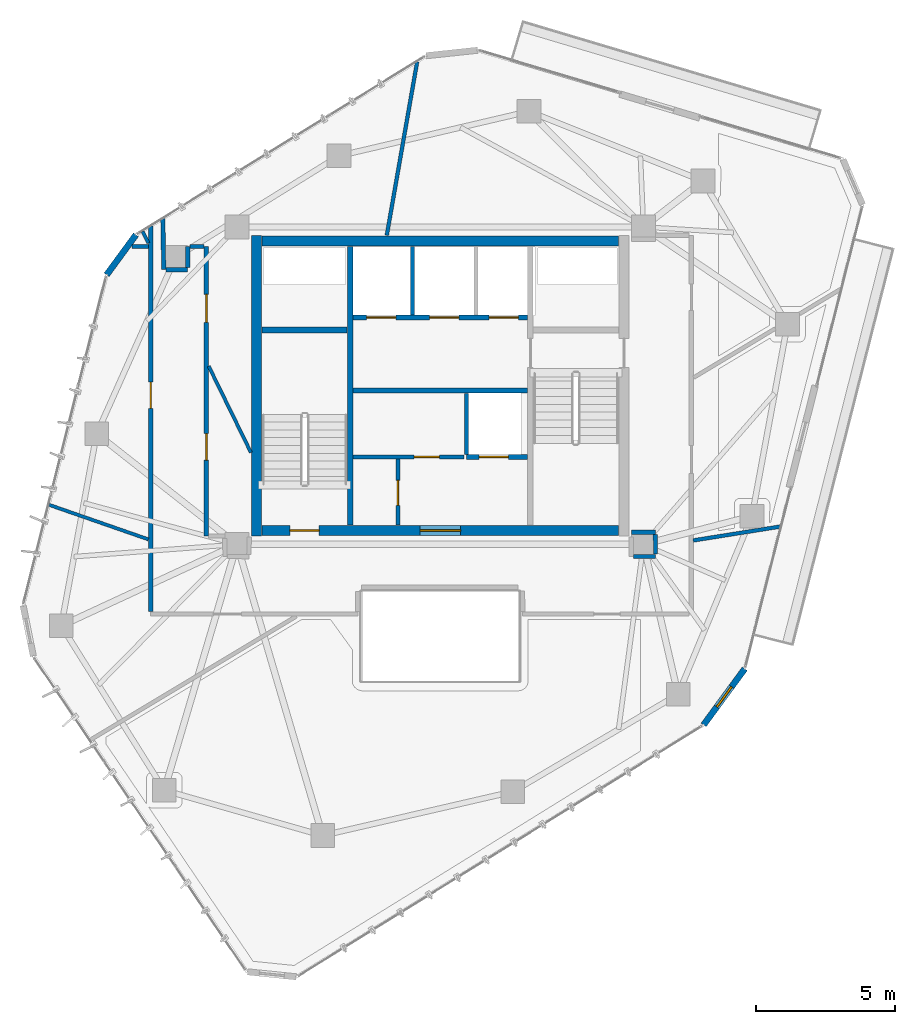
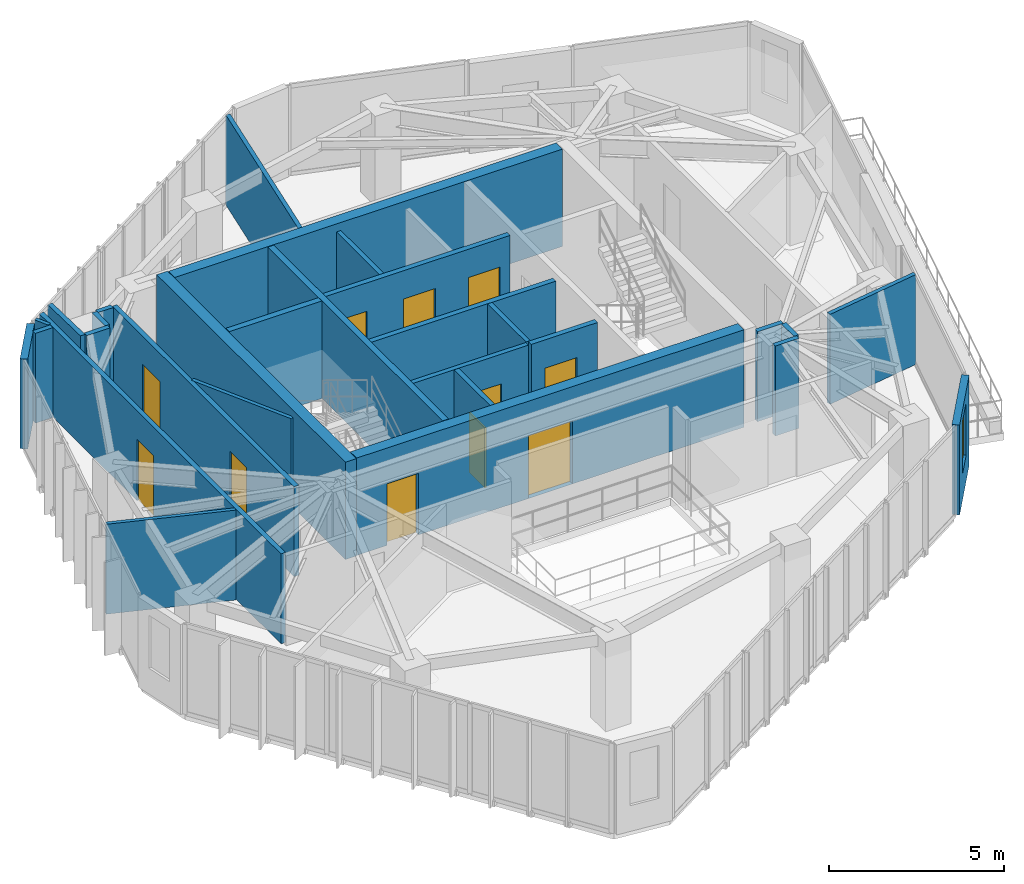
# One storey, part 17 of 20: 29 walls, 11 doors, 1 window, 12 openings.
"""IFC4 building model written with IfcOpenShell, lengths in metres."""

from ifc_helpers import new_model, si_unit, direction, frame, frame_2d, origin, place, context, subcontext, project, spatial, rectangle, extrude, source, transform, mapped, material, layer, layer_set, type_object, type_shapes, element, fill, save


model = new_model("IFC4")

# Units and contexts
model_context = context("Model", 3, precision=1e-05, world=origin(), true_north=direction((0.0, 1.0)))
body_context = subcontext(model_context, "Body", "Model", "MODEL_VIEW")
ifc_project = project(units=[si_unit("LENGTHUNIT", "METRE"), si_unit("AREAUNIT", "SQUARE_METRE"), si_unit("VOLUMEUNIT", "CUBIC_METRE"), si_unit("PLANEANGLEUNIT", "RADIAN"), si_unit("MASSUNIT", "GRAM", prefix="KILO")], contexts=[model_context])

# Site, building, storey
site_placement = place(None, origin())
site = spatial("IfcSite", under=ifc_project, at=site_placement, CompositionType="ELEMENT")
building_placement = place(site_placement, origin())
building = spatial("IfcBuilding", under=site, at=building_placement, Name="Talar Marvaseh", CompositionType="ELEMENT")
storey_placement = place(building_placement, frame((0.0, 0.0, 251.0)))
storey = spatial("IfcBuildingStorey", under=building, at=storey_placement, Name="L66", CompositionType="ELEMENT", Elevation=251.0)

# Wall
ifc_material_1 = material(Name="Precast concrete C45/55", Category="concrete")
ifc_layer_1 = layer(ifc_material_1, 0.22509765625)
ifc_layer_set_1 = layer_set([ifc_layer_1], Name="Precast concrete C45/55")
wall_type_1 = type_object("IfcWallType", Name="Chamfered Hexagonal Corner Pier Wall Z4 225", PredefinedType="SOLIDWALL", material=ifc_layer_set_1)
wall_1_placement = place(storey_placement, frame((14.0166015625, 35.1826171875, 0.0), z_axis=(0.0, 0.0, 1.0), x_axis=(0.591232882977, 0.80650088536, 0.0)))
element("IfcWall", 1, at=wall_1_placement, inside=storey, type_object=wall_type_1, Name="L66 Chamfered Corner Limestone Pier 3", PredefinedType="SOLIDWALL", context=body_context, shape_type="SweptSolid", body=[
    extrude(rectangle(XDim=1.780517578125, YDim=0.22509765625, at=frame_2d((0.89013671875, 0.0))), origin(), (0.0, 0.0, 1.0), 3.139892578125),
])

# Wall, opening, window
wall_2_placement = place(storey_placement, frame((36.93896484375, 21.03076171875, 0.0), z_axis=(0.0, 0.0, 1.0), x_axis=(-0.591317137896, -0.806439112662, 0.0)))
wall_2 = element("IfcWall", 2, at=wall_2_placement, inside=storey, type_object=wall_type_1, Name="L66 Chamfered Corner Limestone Pier 6", PredefinedType="SOLIDWALL", context=body_context, shape_type="SweptSolid", body=[
    extrude(rectangle(XDim=2.50244140625, YDim=0.22509765625, at=frame_2d((1.251220703125, 0.0))), origin(), (0.0, 0.0, 1.0), 3.139892578125),
])
opening_1_placement = place(wall_2_placement, frame((0.801025390625, 0.0, 0.89990234375)))
opening_1 = element("IfcOpeningElement", 3, at=opening_1_placement, cuts=wall_2, Name="Opening WN-CHM09", PredefinedType="OPENING", context=body_context, shape_type="SweptSolid", body=[
    extrude(rectangle(XDim=0.89990234375, YDim=1.85009765625, at=frame_2d((0.449951171875, 0.925048828125))), frame((0.0, 0.12255859375, 0.0), z_axis=(0.0, -1.0, 0.0), x_axis=(1.0, 0.0, 0.0)), (0.0, 0.0, 1.0), 0.2451171875),
])
ifc_material_2 = material(Name="Laminated Low-E Solar Glass", Category="glass")
window_type = type_object("IfcWindowType", Name="Zone 4 Chamfered Corner Slot Window 900x1850", PartitioningType="SINGLE_PANEL", PredefinedType="WINDOW", material=ifc_material_2)
shared_shape_1 = source(origin(), body_context, "Body", "SweptSolid", [
    extrude(rectangle(XDim=0.89990234375, YDim=1.85009765625, at=frame_2d((0.449951171875, 0.925048828125))), frame((0.0, 0.030029296875, 0.0), z_axis=(0.0, -1.0, 0.0), x_axis=(1.0, 0.0, 0.0)), (0.0, 0.0, 1.0), 0.06005859375),
])
type_shapes(window_type, [shared_shape_1])
window_placement = place(opening_1_placement, origin())
window = element("IfcWindow", 4, at=window_placement, inside=storey, type_object=window_type, Name="L66 Chamfered Corner Slot Window", OverallHeight=1.85009765625, OverallWidth=0.89990234375, PartitioningType="SINGLE_PANEL", PredefinedType="WINDOW", context=body_context, shape_type="MappedRepresentation", body=[
    mapped(shared_shape_1, transform((0.0, 0.0, 0.0), x_axis=(1.0, 0.0, 0.0), y_axis=(0.0, 1.0, 0.0), z_axis=(0.0, 0.0, 1.0), scale=1.0)),
])
fill(opening_1, window)

# Wall, opening, door
ifc_material_3 = material(Name="Gypsum Board Partition Assembly")
ifc_layer_2 = layer(ifc_material_3, 0.155029296875)
ifc_layer_set_2 = layer_set([ifc_layer_2], Name="Gypsum Board Partition Assembly")
wall_type_2 = type_object("IfcWallType", Name="Corridor Fire-Rated Acoustic Partition 155", PredefinedType="PARTITIONING", material=ifc_layer_set_2)
wall_3_placement = place(storey_placement, frame((22.865966796875, 28.639892578125, 0.0), z_axis=(0.0, 0.0, 1.0), x_axis=(1.0, 0.0, 0.0)))
wall_3 = element("IfcWall", 5, at=wall_3_placement, inside=storey, type_object=wall_type_2, Name="L66 Core BOH Partition", PredefinedType="PARTITIONING", context=body_context, shape_type="SweptSolid", body=[
    extrude(rectangle(XDim=3.994140625, YDim=0.155029296875, at=frame_2d((1.9970703125, 0.0))), origin(), (0.0, 0.0, 1.0), 3.139892578125),
])
opening_2_placement = place(wall_3_placement, frame((2.199951171875, 0.0, 0.0)))
opening_2 = element("IfcOpeningElement", 6, at=opening_2_placement, cuts=wall_3, Name="Opening DR-BOH090", PredefinedType="OPENING", context=body_context, shape_type="SweptSolid", body=[
    extrude(rectangle(XDim=0.89990234375, YDim=2.10009765625, at=frame_2d((0.449951171875, 1.050048828125))), frame((0.0, 0.08740234375, 0.0), z_axis=(0.0, -1.0, 0.0), x_axis=(1.0, 0.0, 0.0)), (0.0, 0.0, 1.0), 0.175048828125),
])
ifc_material_4 = material(Name="Fire-Rated Steel Door Leaf", Category="steel")
door_type_1 = type_object("IfcDoorType", Name="Core Back-of-House Service Door 900x2100", OperationType="NOTDEFINED", PredefinedType="DOOR", material=ifc_material_4)
shared_shape_2 = source(origin(), body_context, "Body", "SweptSolid", [
    extrude(rectangle(XDim=0.89990234375, YDim=2.10009765625, at=frame_2d((0.449951171875, 1.050048828125))), frame((0.0, 0.02490234375, 0.0), z_axis=(0.0, -1.0, 0.0), x_axis=(1.0, 0.0, 0.0)), (0.0, 0.0, 1.0), 0.050048828125),
])
type_shapes(door_type_1, [shared_shape_2])
door_1_placement = place(opening_2_placement, origin())
door_1 = element("IfcDoor", 7, at=door_1_placement, inside=storey, type_object=door_type_1, Name="L66 Store Sky Core Archive Room Door", OperationType="SINGLE_SWING_LEFT", OverallHeight=2.10009765625, OverallWidth=0.89990234375, PredefinedType="DOOR", context=body_context, shape_type="MappedRepresentation", body=[
    mapped(shared_shape_2, transform((0.0, 0.0, 0.0), x_axis=(1.0, 0.0, 0.0), y_axis=(0.0, 1.0, 0.0), z_axis=(0.0, 0.0, 1.0), scale=1.0)),
])
fill(opening_2, door_1)

wall_4_placement = place(storey_placement, frame((24.47998046875, 26.199951171875, 0.0), z_axis=(0.0, 0.0, 1.0), x_axis=(0.0, 1.0, 0.0)))
wall_4 = element("IfcWall", 8, at=wall_4_placement, inside=storey, type_object=wall_type_2, Name="L66 Core BOH Partition", PredefinedType="PARTITIONING", context=body_context, shape_type="SweptSolid", body=[
    extrude(rectangle(XDim=2.360107421875, YDim=0.155029296875, at=frame_2d((1.18017578125, 0.0))), origin(), (0.0, 0.0, 1.0), 3.139892578125),
])
opening_3_placement = place(wall_4_placement, frame((0.699951171875, 0.0, 0.0)))
opening_3 = element("IfcOpeningElement", 9, at=opening_3_placement, cuts=wall_4, Name="Opening DR-BOH090", PredefinedType="OPENING", context=body_context, shape_type="SweptSolid", body=[
    extrude(rectangle(XDim=0.89990234375, YDim=2.10009765625, at=frame_2d((0.449951171875, 1.050048828125))), frame((0.0, 0.08740234375, 0.0), z_axis=(0.0, -1.0, 0.0), x_axis=(1.0, 0.0, 0.0)), (0.0, 0.0, 1.0), 0.175048828125),
])
door_2_placement = place(opening_3_placement, origin())
door_2 = element("IfcDoor", 10, at=door_2_placement, inside=storey, type_object=door_type_1, Name="L66 Cleaner and Linen Store Door", OperationType="SINGLE_SWING_LEFT", OverallHeight=2.10009765625, OverallWidth=0.89990234375, PredefinedType="DOOR", context=body_context, shape_type="MappedRepresentation", body=[
    mapped(shared_shape_2, transform((0.0, 0.0, 0.0), x_axis=(1.0, 0.0, 0.0), y_axis=(0.0, 1.0, 0.0), z_axis=(0.0, 0.0, 1.0), scale=1.0)),
])
fill(opening_3, door_2)

# Wall, openings, doors
wall_5_placement = place(storey_placement, frame((17.60009765625, 36.199951171875, 0.0), z_axis=(0.0, 0.0, 1.0), x_axis=(0.0, -1.0, 0.0)))
wall_5 = element("IfcWall", 11, at=wall_5_placement, inside=storey, type_object=wall_type_2, Name="L66 Interior Partition Wall", PredefinedType="PARTITIONING", context=body_context, shape_type="SweptSolid", body=[
    extrude(rectangle(XDim=10.39990234375, YDim=0.155029296875, at=frame_2d((5.199951171875, 0.0))), origin(), (0.0, 0.0, 1.0), 3.139892578125),
])
opening_4_placement = place(wall_5_placement, frame((1.72509765625, 0.0, 0.0)))
opening_4 = element("IfcOpeningElement", 12, at=opening_4_placement, cuts=wall_5, Name="Opening DR-RM100", PredefinedType="OPENING", context=body_context, shape_type="SweptSolid", body=[
    extrude(rectangle(XDim=1.0, YDim=2.14990234375, at=frame_2d((0.5, 1.074951171875))), frame((0.0, 0.08740234375, 0.0), z_axis=(0.0, -1.0, 0.0), x_axis=(1.0, 0.0, 0.0)), (0.0, 0.0, 1.0), 0.175048828125),
])
opening_5_placement = place(wall_5_placement, frame((6.720947265625, 0.0, 0.0)))
opening_5 = element("IfcOpeningElement", 13, at=opening_5_placement, cuts=wall_5, Name="Opening DR-WC095", PredefinedType="OPENING", context=body_context, shape_type="SweptSolid", body=[
    extrude(rectangle(XDim=0.949951171875, YDim=2.14990234375, at=frame_2d((0.47509765625, 1.074951171875))), frame((0.0, 0.08740234375, 0.0), z_axis=(0.0, -1.0, 0.0), x_axis=(1.0, 0.0, 0.0)), (0.0, 0.0, 1.0), 0.175048828125),
])
ifc_material_5 = material(Name="Acoustic Engineered Oak Timber", Category="wood")
door_type_2 = type_object("IfcDoorType", Name="Washroom and Service Room Door 950x2150", OperationType="NOTDEFINED", PredefinedType="DOOR", material=ifc_material_5)
shared_shape_3 = source(origin(), body_context, "Body", "SweptSolid", [
    extrude(rectangle(XDim=0.949951171875, YDim=2.14990234375, at=frame_2d((0.47509765625, 1.074951171875))), frame((0.0, 0.02490234375, 0.0), z_axis=(0.0, -1.0, 0.0), x_axis=(1.0, 0.0, 0.0)), (0.0, 0.0, 1.0), 0.050048828125),
])
type_shapes(door_type_2, [shared_shape_3])
door_3_placement = place(opening_5_placement, origin())
door_3 = element("IfcDoor", 14, at=door_3_placement, inside=storey, type_object=door_type_2, Name="L66 WC Public Washrooms Door", OperationType="SINGLE_SWING_LEFT", OverallHeight=2.14990234375, OverallWidth=0.949951171875, PredefinedType="DOOR", context=body_context, shape_type="MappedRepresentation", body=[
    mapped(shared_shape_3, transform((0.0, 0.0, 0.0), x_axis=(1.0, 0.0, 0.0), y_axis=(0.0, 1.0, 0.0), z_axis=(0.0, 0.0, 1.0), scale=1.0)),
])
fill(opening_5, door_3)
door_type_3 = type_object("IfcDoorType", Name="Corridor Fire-Rated Gallery Door 1000x2150", OperationType="NOTDEFINED", PredefinedType="DOOR", material=ifc_material_5)
shared_shape_4 = source(origin(), body_context, "Body", "SweptSolid", [
    extrude(rectangle(XDim=1.0, YDim=2.14990234375, at=frame_2d((0.5, 1.074951171875))), frame((0.0, 0.02490234375, 0.0), z_axis=(0.0, -1.0, 0.0), x_axis=(1.0, 0.0, 0.0)), (0.0, 0.0, 1.0), 0.050048828125),
])
type_shapes(door_type_3, [shared_shape_4])
door_4_placement = place(opening_4_placement, origin())
door_4 = element("IfcDoor", 15, at=door_4_placement, inside=storey, type_object=door_type_3, Name="L66 Archival Facsimile Boutique Door", OperationType="SINGLE_SWING_LEFT", OverallHeight=2.14990234375, OverallWidth=1.0, PredefinedType="DOOR", context=body_context, shape_type="MappedRepresentation", body=[
    mapped(shared_shape_4, transform((0.0, 0.0, 0.0), x_axis=(1.0, 0.0, 0.0), y_axis=(0.0, 1.0, 0.0), z_axis=(0.0, 0.0, 1.0), scale=1.0)),
])
fill(opening_4, door_4)

# Wall, opening, door
wall_6_placement = place(storey_placement, frame((15.60009765625, 23.08349609375, 0.0), z_axis=(0.0, 0.0, 1.0), x_axis=(0.0, 1.0, 0.0)))
wall_6 = element("IfcWall", 16, at=wall_6_placement, inside=storey, type_object=wall_type_2, Name="L66 Interior Partition Wall", PredefinedType="PARTITIONING", context=body_context, shape_type="SweptSolid", body=[
    extrude(rectangle(XDim=13.8427734375, YDim=0.155029296875, at=frame_2d((6.92138671875, 0.0))), origin(), (0.0, 0.0, 1.0), 3.139892578125),
])
opening_6_placement = place(wall_6_placement, frame((7.2978515625, 0.0, 0.0)))
opening_6 = element("IfcOpeningElement", 17, at=opening_6_placement, cuts=wall_6, Name="Opening DR-WC095", PredefinedType="OPENING", context=body_context, shape_type="SweptSolid", body=[
    extrude(rectangle(XDim=0.949951171875, YDim=2.14990234375, at=frame_2d((0.47509765625, 1.074951171875))), frame((0.0, 0.08740234375, 0.0), z_axis=(0.0, -1.0, 0.0), x_axis=(1.0, 0.0, 0.0)), (0.0, 0.0, 1.0), 0.175048828125),
])
door_5_placement = place(opening_6_placement, origin())
door_5 = element("IfcDoor", 18, at=door_5_placement, inside=storey, type_object=door_type_2, Name="L66 Accessible WC Door", OperationType="SINGLE_SWING_RIGHT", OverallHeight=2.14990234375, OverallWidth=0.949951171875, PredefinedType="DOOR", context=body_context, shape_type="MappedRepresentation", body=[
    mapped(shared_shape_3, transform((0.0, 0.0, 0.0), x_axis=(1.0, 0.0, 0.0), y_axis=(0.0, 1.0, 0.0), z_axis=(0.0, 0.0, 1.0), scale=1.0)),
])
fill(opening_6, door_5)

# Walls
wall_7_placement = place(storey_placement, frame((16.0361328125, 37.195068359375, 0.0), z_axis=(0.0, 0.0, 1.0), x_axis=(0.018025916826, -0.999837519961, 0.0)))
element("IfcWall", 19, at=wall_7_placement, inside=storey, type_object=wall_type_2, Name="L66 Interior Partition Wall", PredefinedType="PARTITIONING", context=body_context, shape_type="SweptSolid", body=[
    extrude(rectangle(XDim=1.828369140625, YDim=0.155029296875, at=frame_2d((0.9140625, 0.0))), origin(), (0.0, 0.0, 1.0), 3.139892578125),
])
wall_8_placement = place(storey_placement, frame((16.152587890625, 35.3671875, 0.0), z_axis=(0.0, 0.0, 1.0), x_axis=(0.999997558852, 0.002209590566, 0.0)))
element("IfcWall", 20, at=wall_8_placement, inside=storey, type_object=wall_type_2, Name="L66 Interior Partition Wall", PredefinedType="PARTITIONING", context=body_context, shape_type="SweptSolid", body=[
    extrude(rectangle(XDim=0.7734375, YDim=0.155029296875, at=frame_2d((0.38671875, 0.0))), origin(), (0.0, 0.0, 1.0), 3.139892578125),
])
wall_9_placement = place(storey_placement, frame((16.927001953125, 35.452392578125, 0.0), z_axis=(0.0, 0.0, 1.0), x_axis=(0.009470509294, 0.999955153721, 0.0)))
element("IfcWall", 21, at=wall_9_placement, inside=storey, type_object=wall_type_2, Name="L66 Interior Partition Wall", PredefinedType="PARTITIONING", context=body_context, shape_type="SweptSolid", body=[
    extrude(rectangle(XDim=0.74755859375, YDim=0.155029296875, at=frame_2d((0.373779296875, 0.0))), origin(), (0.0, 0.0, 1.0), 3.139892578125),
])
wall_10_placement = place(storey_placement, frame((17.017578125, 36.199951171875, 0.0), z_axis=(0.0, 0.0, 1.0), x_axis=(1.0, 0.0, 0.0)))
element("IfcWall", 22, at=wall_10_placement, inside=storey, type_object=wall_type_2, Name="L66 Interior Partition Wall", PredefinedType="PARTITIONING", context=body_context, shape_type="SweptSolid", body=[
    extrude(rectangle(XDim=0.4990234375, YDim=0.155029296875, at=frame_2d((0.24951171875, 0.0))), origin(), (0.0, 0.0, 1.0), 3.139892578125),
])
wall_11_placement = place(storey_placement, frame((14.93701171875, 36.199951171875, 0.0), z_axis=(0.0, 0.0, 1.0), x_axis=(1.0, 0.0, 0.0)))
element("IfcWall", 23, at=wall_11_placement, inside=storey, type_object=wall_type_2, Name="L66 Interior Partition Wall", PredefinedType="PARTITIONING", context=body_context, shape_type="SweptSolid", body=[
    extrude(rectangle(XDim=0.57958984375, YDim=0.155029296875, at=frame_2d((0.289794921875, 0.0))), origin(), (0.0, 0.0, 1.0), 3.139892578125),
])
wall_12_placement = place(storey_placement, frame((33.72509765625, 25.93994140625, 0.0), z_axis=(0.0, 0.0, 1.0), x_axis=(-0.999986790873, -0.005139852152, 0.0)))
element("IfcWall", 24, at=wall_12_placement, inside=storey, type_object=wall_type_2, Name="L66 Interior Partition Wall", PredefinedType="PARTITIONING", context=body_context, shape_type="SweptSolid", body=[
    extrude(rectangle(XDim=0.85498046875, YDim=0.155029296875, at=frame_2d((0.427490234375, 0.0))), origin(), (0.0, 0.0, 1.0), 3.139892578125),
])
wall_13_placement = place(storey_placement, frame((32.947998046875, 25.064453125, 0.0), z_axis=(0.0, 0.0, 1.0), x_axis=(1.0, 0.0, 0.0)))
element("IfcWall", 25, at=wall_13_placement, inside=storey, type_object=wall_type_2, Name="L66 Interior Partition Wall", PredefinedType="PARTITIONING", context=body_context, shape_type="SweptSolid", body=[
    extrude(rectangle(XDim=0.78759765625, YDim=0.155029296875, at=frame_2d((0.393798828125, 0.0))), origin(), (0.0, 0.0, 1.0), 3.139892578125),
])
wall_14_placement = place(storey_placement, frame((33.734619140625, 25.14794921875, 0.0), z_axis=(0.0, 0.0, 1.0), x_axis=(-0.012059770759, 0.99992727832, 0.0)))
element("IfcWall", 26, at=wall_14_placement, inside=storey, type_object=wall_type_2, Name="L66 Interior Partition Wall", PredefinedType="PARTITIONING", context=body_context, shape_type="SweptSolid", body=[
    extrude(rectangle(XDim=0.70849609375, YDim=0.155029296875, at=frame_2d((0.354248046875, 0.0))), origin(), (0.0, 0.0, 1.0), 3.139892578125),
])
ifc_layer_3 = layer(ifc_material_3, 0.1201171875)
ifc_layer_set_3 = layer_set([ifc_layer_3], Name="Gypsum Board Partition Assembly")
wall_type_3 = type_object("IfcWallType", Name="Demountable Studio Room Partition 120", PredefinedType="PARTITIONING", material=ifc_layer_set_3)
wall_15_placement = place(storey_placement, frame((11.949462890625, 26.919189453125, 0.0), z_axis=(0.0, 0.0, 1.0), x_axis=(0.944538650686, -0.328400270035, 0.0)))
element("IfcWall", 27, at=wall_15_placement, inside=storey, type_object=wall_type_3, Name="L66 Interior Partition Wall", PredefinedType="PARTITIONING", context=body_context, shape_type="SweptSolid", body=[
    extrude(rectangle(XDim=3.776611328125, YDim=0.1201171875, at=frame_2d((1.88818359375, 0.0))), origin(), (0.0, 0.0, 1.0), 3.139892578125),
])
wall_16_placement = place(storey_placement, frame((15.5166015625, 36.321044921875, 0.0), z_axis=(0.0, 0.0, 1.0), x_axis=(-0.43908897031, 0.898443585403, 0.0)))
element("IfcWall", 28, at=wall_16_placement, inside=storey, type_object=wall_type_3, Name="L66 Interior Partition Wall", PredefinedType="PARTITIONING", context=body_context, shape_type="SweptSolid", body=[
    extrude(rectangle(XDim=0.4697265625, YDim=0.1201171875, at=frame_2d((0.23486328125, 0.0))), origin(), (0.0, 0.0, 1.0), 3.139892578125),
])
wall_17_placement = place(storey_placement, frame((19.199951171875, 28.800048828125, 0.0), z_axis=(0.0, 0.0, 1.0), x_axis=(-0.439470269492, 0.898257135921, 0.0)))
element("IfcWall", 29, at=wall_17_placement, inside=storey, type_object=wall_type_3, Name="L66 Interior Partition Wall", PredefinedType="PARTITIONING", context=body_context, shape_type="SweptSolid", body=[
    extrude(rectangle(XDim=3.450439453125, YDim=0.1201171875, at=frame_2d((1.72509765625, 0.0))), origin(), (0.0, 0.0, 1.0), 3.139892578125),
])
ifc_layer_4 = layer(ifc_material_1, 0.14501953125)
ifc_layer_set_4 = layer_set([ifc_layer_4], Name="Precast concrete C45/55")
wall_type_4 = type_object("IfcWallType", Name="Fire-Rated Lift Divider Wall 145", PredefinedType="SOLIDWALL", material=ifc_layer_set_4)
wall_18_placement = place(storey_placement, frame((25.0, 33.743408203125, 0.0), z_axis=(0.0, 0.0, 1.0), x_axis=(0.0, 1.0, 0.0)))
element("IfcWall", 30, at=wall_18_placement, inside=storey, type_object=wall_type_4, Name="L66 FFL-1/FFL-2 Divider", PredefinedType="SOLIDWALL", context=body_context, shape_type="SweptSolid", body=[
    extrude(rectangle(XDim=2.45654296875, YDim=0.14501953125, at=frame_2d((1.228271484375, 0.0))), origin(), (0.0, 0.0, 1.0), 3.139892578125),
])
wall_19_placement = place(storey_placement, frame((26.949951171875, 28.7333984375, 0.0), z_axis=(0.0, 0.0, 1.0), x_axis=(0.0, 1.0, 0.0)))
element("IfcWall", 31, at=wall_19_placement, inside=storey, type_object=wall_type_4, Name="L66 PL-H3 West Shaft Wall", PredefinedType="SOLIDWALL", context=body_context, shape_type="SweptSolid", body=[
    extrude(rectangle(XDim=2.193115234375, YDim=0.14501953125, at=frame_2d((1.0966796875, 0.0))), origin(), (0.0, 0.0, 1.0), 3.139892578125),
])

# Wall, openings, doors
ifc_layer_5 = layer(ifc_material_1, 0.175048828125)
ifc_layer_set_5 = layer_set([ifc_layer_5], Name="Precast concrete C45/55")
wall_type_5 = type_object("IfcWallType", Name="Fire-Rated Lift Hoistway Enclosure Wall 175", PredefinedType="SOLIDWALL", material=ifc_layer_set_5)
wall_20_placement = place(storey_placement, frame((22.860107421875, 33.64990234375, 0.0), z_axis=(0.0, 0.0, 1.0), x_axis=(1.0, 0.0, 0.0)))
wall_20 = element("IfcWall", 32, at=wall_20_placement, inside=storey, type_object=wall_type_5, Name="L66 Firefighting and Service Lift Front Wall", PredefinedType="SOLIDWALL", context=body_context, shape_type="SweptSolid", body=[
    extrude(rectangle(XDim=6.27978515625, YDim=0.175048828125, at=frame_2d((3.139892578125, 0.0))), origin(), (0.0, 0.0, 1.0), 3.139892578125),
])
opening_7_placement = place(wall_20_placement, frame((0.5, 0.0, 0.0)))
opening_7 = element("IfcOpeningElement", 33, at=opening_7_placement, cuts=wall_20, Name="Opening LD-FF1", PredefinedType="OPENING", context=body_context, shape_type="SweptSolid", body=[
    extrude(rectangle(XDim=1.050048828125, YDim=2.14990234375, at=frame_2d((0.52490234375, 1.074951171875))), frame((0.0, 0.09765625, 0.0), z_axis=(0.0, -1.0, 0.0), x_axis=(1.0, 0.0, 0.0)), (0.0, 0.0, 1.0), 0.195068359375),
])
opening_8_placement = place(wall_20_placement, frame((2.760009765625, 0.0, 0.0)))
opening_8 = element("IfcOpeningElement", 34, at=opening_8_placement, cuts=wall_20, Name="Opening LD-FF2", PredefinedType="OPENING", context=body_context, shape_type="SweptSolid", body=[
    extrude(rectangle(XDim=1.050048828125, YDim=2.14990234375, at=frame_2d((0.52490234375, 1.074951171875))), frame((0.0, 0.09765625, 0.0), z_axis=(0.0, -1.0, 0.0), x_axis=(1.0, 0.0, 0.0)), (0.0, 0.0, 1.0), 0.195068359375),
])
opening_9_placement = place(wall_20_placement, frame((4.89990234375, 0.0, 0.0)))
opening_9 = element("IfcOpeningElement", 35, at=opening_9_placement, cuts=wall_20, Name="Opening LD-SV1", PredefinedType="OPENING", context=body_context, shape_type="SweptSolid", body=[
    extrude(rectangle(XDim=1.050048828125, YDim=2.14990234375, at=frame_2d((0.52490234375, 1.074951171875))), frame((0.0, 0.09765625, 0.0), z_axis=(0.0, -1.0, 0.0), x_axis=(1.0, 0.0, 0.0)), (0.0, 0.0, 1.0), 0.195068359375),
])
ifc_material_6 = material(Name="Stainless Steel Grade 316", Category="steel")
door_type_4 = type_object("IfcDoorType", Name="Automatic Sliding Lift Landing Door 1050x2150", OperationType="NOTDEFINED", PredefinedType="DOOR", material=ifc_material_6)
shared_shape_5 = source(origin(), body_context, "Body", "SweptSolid", [
    extrude(rectangle(XDim=1.050048828125, YDim=2.14990234375, at=frame_2d((0.52490234375, 1.074951171875))), frame((0.0, 0.02490234375, 0.0), z_axis=(0.0, -1.0, 0.0), x_axis=(1.0, 0.0, 0.0)), (0.0, 0.0, 1.0), 0.050048828125),
])
type_shapes(door_type_4, [shared_shape_5])
door_6_placement = place(opening_7_placement, origin())
door_6 = element("IfcDoor", 36, at=door_6_placement, inside=storey, type_object=door_type_4, Name="L66 Lift FFL-1 Sliding Landing Door", OperationType="SLIDING_TO_LEFT", OverallHeight=2.14990234375, OverallWidth=1.050048828125, PredefinedType="DOOR", context=body_context, shape_type="MappedRepresentation", body=[
    mapped(shared_shape_5, transform((0.0, 0.0, 0.0), x_axis=(1.0, 0.0, 0.0), y_axis=(0.0, 1.0, 0.0), z_axis=(0.0, 0.0, 1.0), scale=1.0)),
])
fill(opening_7, door_6)
door_7_placement = place(opening_8_placement, origin())
door_7 = element("IfcDoor", 37, at=door_7_placement, inside=storey, type_object=door_type_4, Name="L66 Lift FFL-2 Sliding Landing Door", OperationType="SLIDING_TO_LEFT", OverallHeight=2.14990234375, OverallWidth=1.050048828125, PredefinedType="DOOR", context=body_context, shape_type="MappedRepresentation", body=[
    mapped(shared_shape_5, transform((0.0, 0.0, 0.0), x_axis=(1.0, 0.0, 0.0), y_axis=(0.0, 1.0, 0.0), z_axis=(0.0, 0.0, 1.0), scale=1.0)),
])
fill(opening_8, door_7)
door_8_placement = place(opening_9_placement, origin())
door_8 = element("IfcDoor", 38, at=door_8_placement, inside=storey, type_object=door_type_4, Name="L66 Lift SVL-1 Sliding Landing Door", OperationType="SLIDING_TO_LEFT", OverallHeight=2.14990234375, OverallWidth=1.050048828125, PredefinedType="DOOR", context=body_context, shape_type="MappedRepresentation", body=[
    mapped(shared_shape_5, transform((0.0, 0.0, 0.0), x_axis=(1.0, 0.0, 0.0), y_axis=(0.0, 1.0, 0.0), z_axis=(0.0, 0.0, 1.0), scale=1.0)),
])
fill(opening_9, door_8)

# Wall
wall_21_placement = place(storey_placement, frame((22.860107421875, 31.02001953125, 0.0), z_axis=(0.0, 0.0, 1.0), x_axis=(1.0, 0.0, 0.0)))
element("IfcWall", 39, at=wall_21_placement, inside=storey, type_object=wall_type_5, Name="L66 Firefighting Lobby South Smoke Wall", PredefinedType="SOLIDWALL", context=body_context, shape_type="SweptSolid", body=[
    extrude(rectangle(XDim=6.27978515625, YDim=0.175048828125, at=frame_2d((3.139892578125, 0.0))), origin(), (0.0, 0.0, 1.0), 3.139892578125),
])

# Wall, opening, door
wall_22_placement = place(storey_placement, frame((26.949951171875, 28.639892578125, 0.0), z_axis=(0.0, 0.0, 1.0), x_axis=(1.0, 0.0, 0.0)))
wall_22 = element("IfcWall", 40, at=wall_22_placement, inside=storey, type_object=wall_type_5, Name="L66 Sky Express Lift Front Wall", PredefinedType="SOLIDWALL", context=body_context, shape_type="SweptSolid", body=[
    extrude(rectangle(XDim=2.18994140625, YDim=0.175048828125, at=frame_2d((1.094970703125, 0.0))), origin(), (0.0, 0.0, 1.0), 3.139892578125),
])
opening_10_placement = place(wall_22_placement, frame((0.449951171875, 0.0, 0.0)))
opening_10 = element("IfcOpeningElement", 41, at=opening_10_placement, cuts=wall_22, Name="Opening LD-PLH3", PredefinedType="OPENING", context=body_context, shape_type="SweptSolid", body=[
    extrude(rectangle(XDim=1.050048828125, YDim=2.14990234375, at=frame_2d((0.52490234375, 1.074951171875))), frame((0.0, 0.09765625, 0.0), z_axis=(0.0, -1.0, 0.0), x_axis=(1.0, 0.0, 0.0)), (0.0, 0.0, 1.0), 0.195068359375),
])
door_9_placement = place(opening_10_placement, origin())
door_9 = element("IfcDoor", 42, at=door_9_placement, inside=storey, type_object=door_type_4, Name="L66 Lift PL-H3 Sliding Landing Door", OperationType="SLIDING_TO_LEFT", OverallHeight=2.14990234375, OverallWidth=1.050048828125, PredefinedType="DOOR", context=body_context, shape_type="MappedRepresentation", body=[
    mapped(shared_shape_5, transform((0.0, 0.0, 0.0), x_axis=(1.0, 0.0, 0.0), y_axis=(0.0, 1.0, 0.0), z_axis=(0.0, 0.0, 1.0), scale=1.0)),
])
fill(opening_10, door_9)

# Walls
ifc_layer_6 = layer(ifc_material_3, 0.135009765625)
ifc_layer_set_6 = layer_set([ifc_layer_6], Name="Gypsum Board Partition Assembly")
wall_type_6 = type_object("IfcWallType", Name="Gallery High-Acoustic Partition 135", PredefinedType="PARTITIONING", material=ifc_layer_set_6)
wall_23_placement = place(storey_placement, frame((35.084228515625, 25.64013671875, 0.0), z_axis=(0.0, 0.0, 1.0), x_axis=(0.987523544031, 0.157471425928, 0.0)))
element("IfcWall", 43, at=wall_23_placement, inside=storey, type_object=wall_type_6, Name="L66 Interior Partition Wall", PredefinedType="PARTITIONING", context=body_context, shape_type="SweptSolid", body=[
    extrude(rectangle(XDim=3.173583984375, YDim=0.135009765625, at=frame_2d((1.5869140625, 0.0))), origin(), (0.0, 0.0, 1.0), 3.139892578125),
])
wall_24_placement = place(storey_placement, frame((24.080078125, 36.60009765625, 0.0), z_axis=(0.0, 0.0, 1.0), x_axis=(0.17237284849, 0.985031776697, 0.0)))
element("IfcWall", 44, at=wall_24_placement, inside=storey, type_object=wall_type_6, Name="L66 Interior Partition Wall", PredefinedType="PARTITIONING", context=body_context, shape_type="SweptSolid", body=[
    extrude(rectangle(XDim=6.3310546875, YDim=0.135009765625, at=frame_2d((3.16552734375, 0.0))), origin(), (0.0, 0.0, 1.0), 3.139892578125),
])
ifc_material_7 = material(Name="Concrete C50/60", Category="concrete")
ifc_layer_7 = layer(ifc_material_7, 0.199951171875)
ifc_layer_set_7 = layer_set([ifc_layer_7], Name="Concrete C50/60")
wall_type_7 = type_object("IfcWallType", Name="Stair Shaft Structural Concrete Shear Wall 200", PredefinedType="SHEAR", material=ifc_layer_set_7)
wall_25_placement = place(storey_placement, frame((22.760009765625, 26.199951171875, 0.0), z_axis=(0.0, 0.0, 1.0), x_axis=(0.0, 1.0, 0.0)))
element("IfcWall", 45, at=wall_25_placement, inside=storey, type_object=wall_type_7, Name="L66 Core West Stair Shear Wall", PredefinedType="SHEAR", context=body_context, shape_type="SweptSolid", body=[
    extrude(rectangle(XDim=10.0, YDim=0.199951171875, at=frame_2d((5.0, 0.0))), origin(), (0.0, 0.0, 1.0), 3.39990234375),
])
wall_26_placement = place(storey_placement, frame((19.60009765625, 33.199951171875, 0.0), z_axis=(0.0, 0.0, 1.0), x_axis=(1.0, 0.0, 0.0)))
element("IfcWall", 46, at=wall_26_placement, inside=storey, type_object=wall_type_7, Name="L66 Stair ST-1 North Shear Wall", PredefinedType="SHEAR", context=body_context, shape_type="SweptSolid", body=[
    extrude(rectangle(XDim=3.059814453125, YDim=0.199951171875, at=frame_2d((1.52978515625, 0.0))), origin(), (0.0, 0.0, 1.0), 3.39990234375),
])
ifc_layer_8 = layer(ifc_material_7, 0.360107421875)
ifc_layer_set_8 = layer_set([ifc_layer_8], Name="Concrete C50/60")
wall_type_8 = type_object("IfcWallType", Name="Upper Core Reinforced Concrete Shear Wall 360", PredefinedType="SHEAR", material=ifc_layer_set_8)
wall_27_placement = place(storey_placement, frame((19.39990234375, 25.800048828125, 0.0), z_axis=(0.0, 0.0, 1.0), x_axis=(0.0, 1.0, 0.0)))
element("IfcWall", 47, at=wall_27_placement, inside=storey, type_object=wall_type_8, Name="L66 West Core Shear Wall", PredefinedType="SHEAR", context=body_context, shape_type="SweptSolid", body=[
    extrude(rectangle(XDim=10.800048828125, YDim=0.360107421875, at=frame_2d((5.39990234375, 0.0))), origin(), (0.0, 0.0, 1.0), 3.39990234375),
])
wall_28_placement = place(storey_placement, frame((19.60009765625, 36.39990234375, 0.0), z_axis=(0.0, 0.0, 1.0), x_axis=(1.0, 0.0, 0.0)))
element("IfcWall", 48, at=wall_28_placement, inside=storey, type_object=wall_type_8, Name="L66 North Core Shear Wall", PredefinedType="SHEAR", context=body_context, shape_type="SweptSolid", body=[
    extrude(rectangle(XDim=12.7998046875, YDim=0.360107421875, at=frame_2d((6.39990234375, 0.0))), origin(), (0.0, 0.0, 1.0), 3.39990234375),
])

# Wall, openings, doors
wall_29_placement = place(storey_placement, frame((32.39990234375, 26.0, 0.0), z_axis=(0.0, 0.0, 1.0), x_axis=(-1.0, 0.0, 0.0)))
wall_29 = element("IfcWall", 49, at=wall_29_placement, inside=storey, type_object=wall_type_8, Name="L66 South Core Shear Wall", PredefinedType="SHEAR", context=body_context, shape_type="SweptSolid", body=[
    extrude(rectangle(XDim=12.7998046875, YDim=0.360107421875, at=frame_2d((6.39990234375, 0.0))), origin(), (0.0, 0.0, 1.0), 3.39990234375),
])
opening_11_placement = place(wall_29_placement, frame((10.75, 0.0, 0.0)))
opening_11 = element("IfcOpeningElement", 50, at=opening_11_placement, cuts=wall_29, Name="Opening DR-ST105", PredefinedType="OPENING", context=body_context, shape_type="SweptSolid", body=[
    extrude(rectangle(XDim=1.050048828125, YDim=2.14990234375, at=frame_2d((0.52490234375, 1.074951171875))), frame((0.0, 0.18994140625, 0.0), z_axis=(0.0, -1.0, 0.0), x_axis=(1.0, 0.0, 0.0)), (0.0, 0.0, 1.0), 0.380126953125),
])
opening_12_placement = place(wall_29_placement, frame((5.669921875, 0.0, 0.0)))
opening_12 = element("IfcOpeningElement", 51, at=opening_12_placement, cuts=wall_29, Name="Opening DR-LBY145", PredefinedType="OPENING", context=body_context, shape_type="SweptSolid", body=[
    extrude(rectangle(XDim=1.449951171875, YDim=2.199951171875, at=frame_2d((0.72509765625, 1.10009765625))), frame((0.0, 0.18994140625, 0.0), z_axis=(0.0, -1.0, 0.0), x_axis=(1.0, 0.0, 0.0)), (0.0, 0.0, 1.0), 0.380126953125),
])
door_type_5 = type_object("IfcDoorType", Name="Protected Exit Stair Fire Door 1050x2150", OperationType="NOTDEFINED", PredefinedType="DOOR", material=ifc_material_4)
shared_shape_6 = source(origin(), body_context, "Body", "SweptSolid", [
    extrude(rectangle(XDim=1.050048828125, YDim=2.14990234375, at=frame_2d((0.52490234375, 1.074951171875))), frame((0.0, 0.02490234375, 0.0), z_axis=(0.0, -1.0, 0.0), x_axis=(1.0, 0.0, 0.0)), (0.0, 0.0, 1.0), 0.050048828125),
])
type_shapes(door_type_5, [shared_shape_6])
door_10_placement = place(opening_11_placement, origin())
door_10 = element("IfcDoor", 52, at=door_10_placement, inside=storey, type_object=door_type_5, Name="L66 Stair ST-1 Exit Door", OperationType="SINGLE_SWING_RIGHT", OverallHeight=2.14990234375, OverallWidth=1.050048828125, PredefinedType="DOOR", context=body_context, shape_type="MappedRepresentation", body=[
    mapped(shared_shape_6, transform((0.0, 0.0, 0.0), x_axis=(1.0, 0.0, 0.0), y_axis=(0.0, 1.0, 0.0), z_axis=(0.0, 0.0, 1.0), scale=1.0)),
])
fill(opening_11, door_10)
door_type_6 = type_object("IfcDoorType", Name="Core Lift Lobby Double Smoke Door 1450x2200", OperationType="NOTDEFINED", PredefinedType="DOOR", material=ifc_material_4)
shared_shape_7 = source(origin(), body_context, "Body", "SweptSolid", [
    extrude(rectangle(XDim=1.449951171875, YDim=2.199951171875, at=frame_2d((0.72509765625, 1.10009765625))), frame((0.0, 0.02490234375, 0.0), z_axis=(0.0, -1.0, 0.0), x_axis=(1.0, 0.0, 0.0)), (0.0, 0.0, 1.0), 0.050048828125),
])
type_shapes(door_type_6, [shared_shape_7])
door_11_placement = place(opening_12_placement, origin())
door_11 = element("IfcDoor", 53, at=door_11_placement, inside=storey, type_object=door_type_6, Name="L66 Passenger Lift Lobby Entrance Door", OperationType="DOUBLE_DOOR_SINGLE_SWING", OverallHeight=2.199951171875, OverallWidth=1.449951171875, PredefinedType="DOOR", context=body_context, shape_type="MappedRepresentation", body=[
    mapped(shared_shape_7, transform((0.0, 0.0, 0.0), x_axis=(1.0, 0.0, 0.0), y_axis=(0.0, 1.0, 0.0), z_axis=(0.0, 0.0, 1.0), scale=1.0)),
])
fill(opening_12, door_11)

save(model, "model.ifc")
